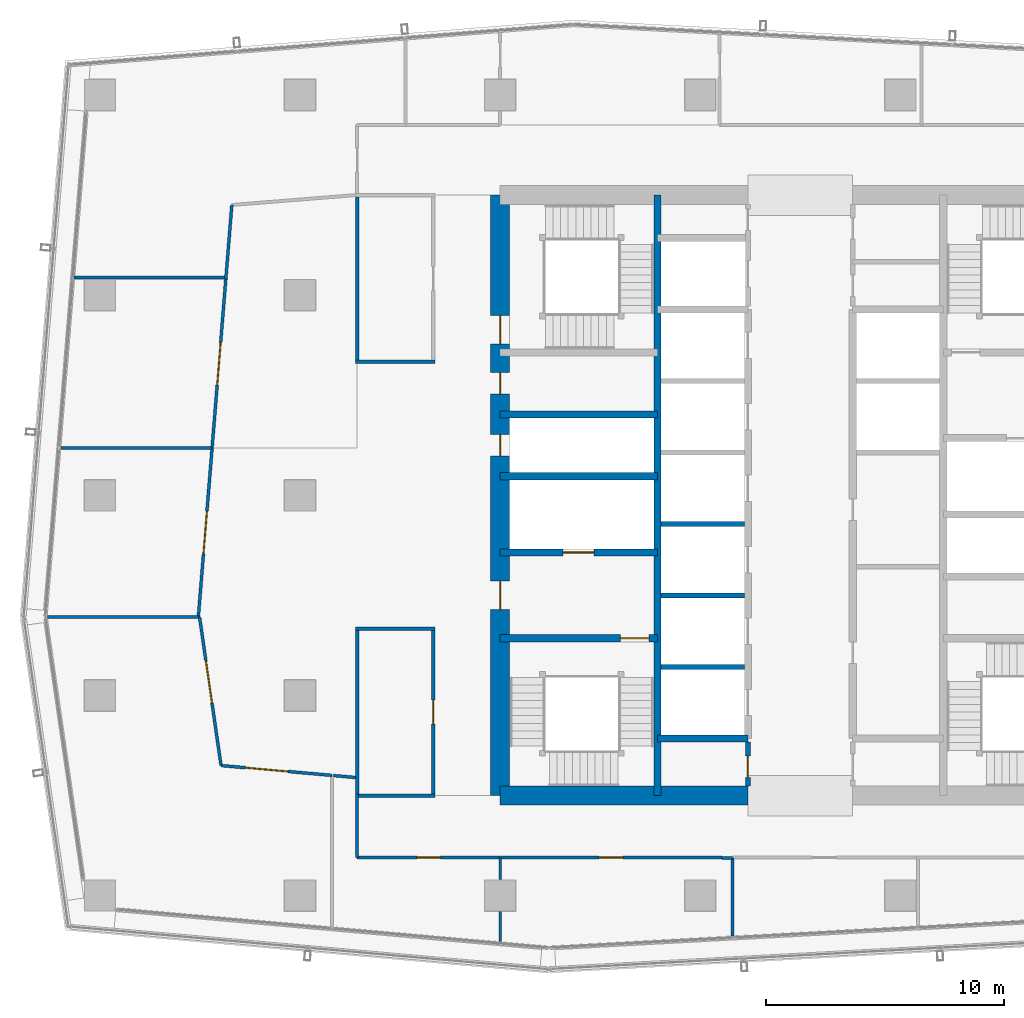
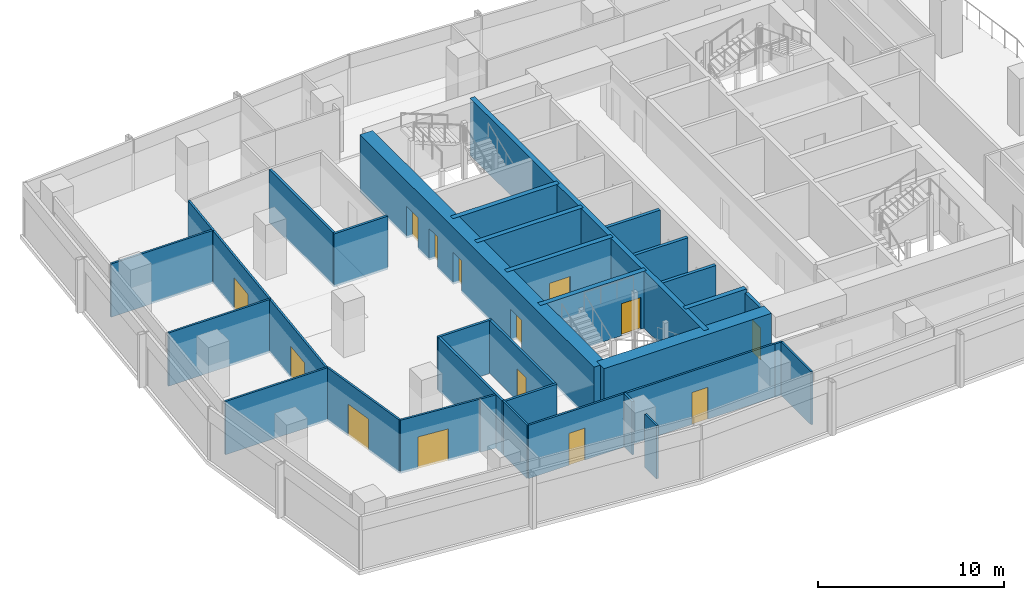
# One storey, part 19 of 26: 34 walls, 14 doors, 14 openings.
"""IFC4 building model written with IfcOpenShell, lengths in metres."""

from ifc_helpers import new_model, si_unit, direction, frame, frame_2d, origin, place, context, subcontext, project, spatial, rectangle, extrude, material, layer, layer_set, type_object, element, fill, save


model = new_model("IFC4")

# Units and contexts
model_context = context("Model", 3, precision=1e-05, world=origin(), true_north=direction((0.0, 1.0)))
body_context = subcontext(model_context, "Body", "Model", "MODEL_VIEW")
ifc_project = project(units=[si_unit("LENGTHUNIT", "METRE"), si_unit("AREAUNIT", "SQUARE_METRE"), si_unit("VOLUMEUNIT", "CUBIC_METRE"), si_unit("PLANEANGLEUNIT", "RADIAN"), si_unit("MASSUNIT", "GRAM", prefix="KILO")], contexts=[model_context])

# Site, building, storey
site_placement = place(None, origin())
site = spatial("IfcSite", under=ifc_project, at=site_placement, CompositionType="ELEMENT")
building_placement = place(site_placement, origin())
building = spatial("IfcBuilding", under=site, at=building_placement, Name="Rekha Terrace Tower", CompositionType="ELEMENT")
storey_placement = place(building_placement, frame((0.0, 0.0, 283.85009765625)))
storey = spatial("IfcBuildingStorey", under=building, at=storey_placement, Name="L72", CompositionType="ELEMENT", Elevation=283.85009765625)

# Walls
ifc_material_1 = material(Name="Concrete M60", Category="concrete")
ifc_layer_1 = layer(ifc_material_1, 0.300048828125)
ifc_layer_set_1 = layer_set([ifc_layer_1], Name="Concrete M60")
wall_type_1 = type_object("IfcWallType", Name="CI5 300 core internal shear wall", PredefinedType="SHEAR", material=ifc_layer_set_1)
wall_1_placement = place(storey_placement, frame((31.800048828125, 21.0, 0.0), z_axis=(0.0, 0.0, 1.0), x_axis=(0.0, 1.0, 0.0)))
element("IfcWall", 1, at=wall_1_placement, inside=storey, type_object=wall_type_1, Name="Core wall X318 L72", PredefinedType="SHEAR", context=body_context, shape_type="SweptSolid", body=[
    extrude(rectangle(XDim=25.199951171875, YDim=0.300048828125, at=frame_2d((12.60009765625, 0.0))), origin(), (0.0, 0.0, 1.0), 3.75),
])
wall_2_placement = place(storey_placement, frame((31.800048828125, 23.39990234375, 0.0), z_axis=(0.0, 0.0, 1.0), x_axis=(1.0, 0.0, 0.0)))
element("IfcWall", 2, at=wall_2_placement, inside=storey, type_object=wall_type_1, Name="Core wall Y234W L72", PredefinedType="SHEAR", context=body_context, shape_type="SweptSolid", body=[
    extrude(rectangle(XDim=3.800048828125, YDim=0.300048828125, at=frame_2d((1.89990234375, 0.0))), origin(), (0.0, 0.0, 1.0), 3.75),
])

# Wall, opening, door
wall_3_placement = place(storey_placement, frame((25.199951171875, 27.60009765625, 0.0), z_axis=(0.0, 0.0, 1.0), x_axis=(1.0, 0.0, 0.0)))
wall_3 = element("IfcWall", 3, at=wall_3_placement, inside=storey, type_object=wall_type_1, Name="Core wall Y276W L72", PredefinedType="SHEAR", context=body_context, shape_type="SweptSolid", body=[
    extrude(rectangle(XDim=6.60009765625, YDim=0.300048828125, at=frame_2d((3.300048828125, 0.0))), origin(), (0.0, 0.0, 1.0), 3.75),
])
opening_1_placement = place(wall_3_placement, frame((5.050048828125, 0.0, 0.0)))
opening_1 = element("IfcOpeningElement", 4, at=opening_1_placement, cuts=wall_3, Name="Opening D1", PredefinedType="OPENING", context=body_context, shape_type="SweptSolid", body=[
    extrude(rectangle(XDim=1.199951171875, YDim=2.10009765625, at=frame_2d((0.60009765625, 1.050048828125))), frame((0.0, 0.159912109375, 0.0), z_axis=(0.0, -1.0, 0.0), x_axis=(1.0, 0.0, 0.0)), (0.0, 0.0, 1.0), 0.320068359375),
])
ifc_material_2 = material(Name="Steel fire door", Category="steel")
door_type_1 = type_object("IfcDoorType", Name="D1 1200x2100 stair fire door", OperationType="SINGLE_SWING_RIGHT", PredefinedType="DOOR", material=ifc_material_2)
door_1_placement = place(opening_1_placement, origin())
door_1 = element("IfcDoor", 5, at=door_1_placement, inside=storey, type_object=door_type_1, Name="Stair ST1 door L72", OperationType="SINGLE_SWING_RIGHT", OverallHeight=2.10009765625, OverallWidth=1.199951171875, PredefinedType="DOOR", context=body_context, shape_type="SweptSolid", body=[
    extrude(rectangle(XDim=1.199951171875, YDim=2.10009765625, at=frame_2d((0.60009765625, 1.050048828125))), frame((0.0, 0.02490234375, 0.0), z_axis=(0.0, -1.0, 0.0), x_axis=(1.0, 0.0, 0.0)), (0.0, 0.0, 1.0), 0.050048828125),
])
fill(opening_1, door_1)

wall_4_placement = place(storey_placement, frame((25.199951171875, 31.199951171875, 0.0), z_axis=(0.0, 0.0, 1.0), x_axis=(1.0, 0.0, 0.0)))
wall_4 = element("IfcWall", 6, at=wall_4_placement, inside=storey, type_object=wall_type_1, Name="Core wall Y312W L72", PredefinedType="SHEAR", context=body_context, shape_type="SweptSolid", body=[
    extrude(rectangle(XDim=6.60009765625, YDim=0.300048828125, at=frame_2d((3.300048828125, 0.0))), origin(), (0.0, 0.0, 1.0), 3.75),
])
opening_2_placement = place(wall_4_placement, frame((2.64990234375, 0.0, 0.0)))
opening_2 = element("IfcOpeningElement", 7, at=opening_2_placement, cuts=wall_4, Name="Opening LD2", PredefinedType="OPENING", context=body_context, shape_type="SweptSolid", body=[
    extrude(rectangle(XDim=1.300048828125, YDim=2.10009765625, at=frame_2d((0.64990234375, 1.050048828125))), frame((0.0, 0.159912109375, 0.0), z_axis=(0.0, -1.0, 0.0), x_axis=(1.0, 0.0, 0.0)), (0.0, 0.0, 1.0), 0.320068359375),
])
ifc_material_3 = material(Name="Stainless steel sliding landing door", Category="steel")
door_type_2 = type_object("IfcDoorType", Name="LD2 1300x2100 fire lift landing door", OperationType="SLIDING_TO_LEFT", PredefinedType="USERDEFINED", material=ifc_material_3)
door_2_placement = place(opening_2_placement, origin())
door_2 = element("IfcDoor", 8, at=door_2_placement, inside=storey, type_object=door_type_2, Name="Lift FL1 landing door L72", ObjectType="LIFT LANDING DOOR", OperationType="SLIDING_TO_LEFT", OverallHeight=2.10009765625, OverallWidth=1.300048828125, PredefinedType="USERDEFINED", context=body_context, shape_type="SweptSolid", body=[
    extrude(rectangle(XDim=1.300048828125, YDim=2.10009765625, at=frame_2d((0.64990234375, 1.050048828125))), frame((0.0, 0.02490234375, 0.0), z_axis=(0.0, -1.0, 0.0), x_axis=(1.0, 0.0, 0.0)), (0.0, 0.0, 1.0), 0.050048828125),
])
fill(opening_2, door_2)

# Walls
for number, where, z_axis, x_axis, name in (
    (9, (25.199951171875, 34.39990234375, 0.0), (0.0, 0.0, 1.0), (1.0, 0.0, 0.0), "Core wall Y344W L72"),
    (10, (25.199951171875, 37.0, 0.0), (0.0, 0.0, 1.0), (1.0, 0.0, 0.0), "Core wall Y370W L72"),
):
    element("IfcWall", number, at=place(storey_placement, frame(where, z_axis=z_axis, x_axis=x_axis)), inside=storey, type_object=wall_type_1, Name=name, PredefinedType="SHEAR", context=body_context, shape_type="SweptSolid", body=[
        extrude(rectangle(XDim=6.60009765625, YDim=0.300048828125, at=frame_2d((3.300048828125, 0.0))), origin(), (0.0, 0.0, 1.0), 3.75),
    ])
ifc_layer_2 = layer(ifc_material_1, 0.800048828125)
ifc_layer_set_2 = layer_set([ifc_layer_2], Name="Concrete M60")
wall_type_2 = type_object("IfcWallType", Name="SW5 800 core outer shear wall", PredefinedType="SHEAR", material=ifc_layer_set_2)
wall_5_placement = place(storey_placement, frame((25.199951171875, 21.0, 0.0), z_axis=(0.0, 0.0, 1.0), x_axis=(1.0, 0.0, 0.0)))
element("IfcWall", 11, at=wall_5_placement, inside=storey, type_object=wall_type_2, Name="Core wall S1 L72", PredefinedType="SHEAR", context=body_context, shape_type="SweptSolid", body=[
    extrude(rectangle(XDim=10.400146484375, YDim=0.800048828125, at=frame_2d((5.2001953125, 0.0))), origin(), (0.0, 0.0, 1.0), 3.75),
])

# Wall, openings, doors
wall_6_placement = place(storey_placement, frame((25.199951171875, 21.0, 0.0), z_axis=(0.0, 0.0, 1.0), x_axis=(0.0, 1.0, 0.0)))
wall_6 = element("IfcWall", 12, at=wall_6_placement, inside=storey, type_object=wall_type_2, Name="Core wall W L72", PredefinedType="SHEAR", context=body_context, shape_type="SweptSolid", body=[
    extrude(rectangle(XDim=25.199951171875, YDim=0.800048828125, at=frame_2d((12.60009765625, 0.0))), origin(), (0.0, 0.0, 1.0), 3.75),
])
opening_3_placement = place(wall_6_placement, frame((7.800048828125, 0.0, 0.0)))
opening_3 = element("IfcOpeningElement", 13, at=opening_3_placement, cuts=wall_6, Name="Opening D2", PredefinedType="OPENING", context=body_context, shape_type="SweptSolid", body=[
    extrude(rectangle(XDim=1.199951171875, YDim=2.10009765625, at=frame_2d((0.60009765625, 1.050048828125))), frame((0.0, 0.409912109375, 0.0), z_axis=(0.0, -1.0, 0.0), x_axis=(1.0, 0.0, 0.0)), (0.0, 0.0, 1.0), 0.820068359375),
])
opening_4_placement = place(wall_6_placement, frame((14.25, 0.0, 0.0)))
opening_4 = element("IfcOpeningElement", 14, at=opening_4_placement, cuts=wall_6, Name="Opening D5", PredefinedType="OPENING", context=body_context, shape_type="SweptSolid", body=[
    extrude(rectangle(XDim=0.89990234375, YDim=2.10009765625, at=frame_2d((0.449951171875, 1.050048828125))), frame((0.0, 0.409912109375, 0.0), z_axis=(0.0, -1.0, 0.0), x_axis=(1.0, 0.0, 0.0)), (0.0, 0.0, 1.0), 0.820068359375),
])
opening_5_placement = place(wall_6_placement, frame((16.85009765625, 0.0, 0.0)))
opening_5 = element("IfcOpeningElement", 15, at=opening_5_placement, cuts=wall_6, Name="Opening D5", PredefinedType="OPENING", context=body_context, shape_type="SweptSolid", body=[
    extrude(rectangle(XDim=0.89990234375, YDim=2.10009765625, at=frame_2d((0.449951171875, 1.050048828125))), frame((0.0, 0.409912109375, 0.0), z_axis=(0.0, -1.0, 0.0), x_axis=(1.0, 0.0, 0.0)), (0.0, 0.0, 1.0), 0.820068359375),
])
opening_6_placement = place(wall_6_placement, frame((18.949951171875, 0.0, 0.0)))
opening_6 = element("IfcOpeningElement", 16, at=opening_6_placement, cuts=wall_6, Name="Opening D1", PredefinedType="OPENING", context=body_context, shape_type="SweptSolid", body=[
    extrude(rectangle(XDim=1.199951171875, YDim=2.10009765625, at=frame_2d((0.60009765625, 1.050048828125))), frame((0.0, 0.409912109375, 0.0), z_axis=(0.0, -1.0, 0.0), x_axis=(1.0, 0.0, 0.0)), (0.0, 0.0, 1.0), 0.820068359375),
])
door_3_placement = place(opening_6_placement, origin())
door_3 = element("IfcDoor", 17, at=door_3_placement, inside=storey, type_object=door_type_1, Name="Stair ST4 door L72", OperationType="SINGLE_SWING_RIGHT", OverallHeight=2.10009765625, OverallWidth=1.199951171875, PredefinedType="DOOR", context=body_context, shape_type="SweptSolid", body=[
    extrude(rectangle(XDim=1.199951171875, YDim=2.10009765625, at=frame_2d((0.60009765625, 1.050048828125))), frame((0.0, 0.02490234375, 0.0), z_axis=(0.0, -1.0, 0.0), x_axis=(1.0, 0.0, 0.0)), (0.0, 0.0, 1.0), 0.050048828125),
])
fill(opening_6, door_3)
door_type_3 = type_object("IfcDoorType", Name="D2 1200x2100 firefighting lobby door", OperationType="SINGLE_SWING_LEFT", PredefinedType="DOOR", material=ifc_material_2)
door_4_placement = place(opening_3_placement, origin())
door_4 = element("IfcDoor", 18, at=door_4_placement, inside=storey, type_object=door_type_3, Name="Door flb1 L72", OperationType="SINGLE_SWING_LEFT", OverallHeight=2.10009765625, OverallWidth=1.199951171875, PredefinedType="DOOR", context=body_context, shape_type="SweptSolid", body=[
    extrude(rectangle(XDim=1.199951171875, YDim=2.10009765625, at=frame_2d((0.60009765625, 1.050048828125))), frame((0.0, 0.02490234375, 0.0), z_axis=(0.0, -1.0, 0.0), x_axis=(1.0, 0.0, 0.0)), (0.0, 0.0, 1.0), 0.050048828125),
])
fill(opening_3, door_4)
door_type_4 = type_object("IfcDoorType", Name="D5 900x2100 riser access door", OperationType="SINGLE_SWING_LEFT", PredefinedType="DOOR", material=ifc_material_2)
door_5_placement = place(opening_4_placement, origin())
door_5 = element("IfcDoor", 19, at=door_5_placement, inside=storey, type_object=door_type_4, Name="Door rs1 L72", OperationType="SINGLE_SWING_LEFT", OverallHeight=2.10009765625, OverallWidth=0.89990234375, PredefinedType="DOOR", context=body_context, shape_type="SweptSolid", body=[
    extrude(rectangle(XDim=0.89990234375, YDim=2.10009765625, at=frame_2d((0.449951171875, 1.050048828125))), frame((0.0, 0.02490234375, 0.0), z_axis=(0.0, -1.0, 0.0), x_axis=(1.0, 0.0, 0.0)), (0.0, 0.0, 1.0), 0.050048828125),
])
fill(opening_4, door_5)
door_6_placement = place(opening_5_placement, origin())
door_6 = element("IfcDoor", 20, at=door_6_placement, inside=storey, type_object=door_type_4, Name="Door elw L72", OperationType="SINGLE_SWING_LEFT", OverallHeight=2.10009765625, OverallWidth=0.89990234375, PredefinedType="DOOR", context=body_context, shape_type="SweptSolid", body=[
    extrude(rectangle(XDim=0.89990234375, YDim=2.10009765625, at=frame_2d((0.449951171875, 1.050048828125))), frame((0.0, 0.02490234375, 0.0), z_axis=(0.0, -1.0, 0.0), x_axis=(1.0, 0.0, 0.0)), (0.0, 0.0, 1.0), 0.050048828125),
])
fill(opening_5, door_6)

# Walls
ifc_material_4 = material(Name="Concrete block masonry, 1 hour", Category="masonry")
ifc_layer_3 = layer(ifc_material_4, 0.14990234375)
ifc_layer_set_3 = layer_set([ifc_layer_3], Name="Concrete block masonry, 1 hour")
wall_type_3 = type_object("IfcWallType", Name="WP2 150 tenancy partition", PredefinedType="PARTITIONING", material=ifc_layer_set_3)
wall_7_placement = place(storey_placement, frame((19.125, 39.199951171875, 0.0), z_axis=(0.0, 0.0, 1.0), x_axis=(1.0, 0.0, 0.0)))
element("IfcWall", 21, at=wall_7_placement, inside=storey, type_object=wall_type_3, Name="Women's WC wall L72", PredefinedType="PARTITIONING", context=body_context, shape_type="SweptSolid", body=[
    extrude(rectangle(XDim=3.35009765625, YDim=0.14990234375, at=frame_2d((1.675048828125, 0.0))), origin(), (0.0, 0.0, 1.0), 3.5),
])
wall_8_placement = place(storey_placement, frame((19.199951171875, 39.27490234375, 0.0), z_axis=(0.0, 0.0, 1.0), x_axis=(0.0, 1.0, 0.0)))
element("IfcWall", 22, at=wall_8_placement, inside=storey, type_object=wall_type_3, Name="Women's WC wall L72", PredefinedType="PARTITIONING", context=body_context, shape_type="SweptSolid", body=[
    extrude(rectangle(XDim=6.85009765625, YDim=0.14990234375, at=frame_2d((3.425048828125, 0.0))), origin(), (0.0, 0.0, 1.0), 3.5),
])
for number, where, z_axis, x_axis, name in (
    (23, (19.125, 21.0, 0.0), (0.0, 0.0, 1.0), (1.0, 0.0, 0.0), "Men's WC wall L72"),
    (24, (19.125, 28.0, 0.0), (0.0, 0.0, 1.0), (1.0, 0.0, 0.0), "Men's WC wall L72"),
):
    element("IfcWall", number, at=place(storey_placement, frame(where, z_axis=z_axis, x_axis=x_axis)), inside=storey, type_object=wall_type_3, Name=name, PredefinedType="PARTITIONING", context=body_context, shape_type="SweptSolid", body=[
        extrude(rectangle(XDim=3.35009765625, YDim=0.14990234375, at=frame_2d((1.675048828125, 0.0))), origin(), (0.0, 0.0, 1.0), 3.5),
    ])
wall_9_placement = place(storey_placement, frame((19.199951171875, 21.074951171875, 0.0), z_axis=(0.0, 0.0, 1.0), x_axis=(0.0, 1.0, 0.0)))
element("IfcWall", 25, at=wall_9_placement, inside=storey, type_object=wall_type_3, Name="Men's WC wall L72", PredefinedType="PARTITIONING", context=body_context, shape_type="SweptSolid", body=[
    extrude(rectangle(XDim=6.85009765625, YDim=0.14990234375, at=frame_2d((3.425048828125, 0.0))), origin(), (0.0, 0.0, 1.0), 3.5),
])

# Wall, opening, door
wall_10_placement = place(storey_placement, frame((22.39990234375, 21.074951171875, 0.0), z_axis=(0.0, 0.0, 1.0), x_axis=(0.0, 1.0, 0.0)))
wall_10 = element("IfcWall", 26, at=wall_10_placement, inside=storey, type_object=wall_type_3, Name="Men's WC wall L72", PredefinedType="PARTITIONING", context=body_context, shape_type="SweptSolid", body=[
    extrude(rectangle(XDim=6.85009765625, YDim=0.14990234375, at=frame_2d((3.425048828125, 0.0))), origin(), (0.0, 0.0, 1.0), 3.5),
])
opening_7_placement = place(wall_10_placement, frame((2.925048828125, 0.0, 0.0)))
opening_7 = element("IfcOpeningElement", 27, at=opening_7_placement, cuts=wall_10, Name="Opening D3", PredefinedType="OPENING", context=body_context, shape_type="SweptSolid", body=[
    extrude(rectangle(XDim=1.0, YDim=2.10009765625, at=frame_2d((0.5, 1.050048828125))), frame((0.0, 0.0849609375, 0.0), z_axis=(0.0, -1.0, 0.0), x_axis=(1.0, 0.0, 0.0)), (0.0, 0.0, 1.0), 0.169921875),
])
ifc_material_5 = material(Name="Laminated timber fire door", Category="wood")
door_type_5 = type_object("IfcDoorType", Name="D3 1000x2100 WC door", OperationType="SINGLE_SWING_LEFT", PredefinedType="DOOR", material=ifc_material_5)
door_7_placement = place(opening_7_placement, origin())
door_7 = element("IfcDoor", 28, at=door_7_placement, inside=storey, type_object=door_type_5, Name="Door men's wc L72", OperationType="SINGLE_SWING_LEFT", OverallHeight=2.10009765625, OverallWidth=1.0, PredefinedType="DOOR", context=body_context, shape_type="SweptSolid", body=[
    extrude(rectangle(XDim=1.0, YDim=2.10009765625, at=frame_2d((0.5, 1.050048828125))), frame((0.0, 0.02490234375, 0.0), z_axis=(0.0, -1.0, 0.0), x_axis=(1.0, 0.0, 0.0)), (0.0, 0.0, 1.0), 0.050048828125),
])
fill(opening_7, door_7)

# Walls
ifc_material_6 = material(Name="Two layers of fire-rated gypsum board each side on steel studs, acoustic quilt, 1 hour", Category="steel")
ifc_layer_4 = layer(ifc_material_6, 0.125)
ifc_layer_set_4 = layer_set([ifc_layer_4], Name="Two layers of fire-rated gypsum board each side on steel studs, acoustic quilt, 1 hour")
wall_type_4 = type_object("IfcWallType", Name="WP3 125 office partition", PredefinedType="PARTITIONING", material=ifc_layer_set_4)
wall_11_placement = place(storey_placement, frame((13.94091796875, 45.785888671875, 0.0), z_axis=(0.0, 0.0, 1.0), x_axis=(-0.080882691395, -0.996723627809, 0.0)))
element("IfcWall", 29, at=wall_11_placement, inside=storey, type_object=wall_type_4, Name="Partition L72-06", PredefinedType="PARTITIONING", context=body_context, shape_type="SweptSolid", body=[
    extrude(rectangle(XDim=3.13916015625, YDim=0.125, at=frame_2d((1.569580078125, 0.0))), origin(), (0.0, 0.0, 1.0), 3.5),
])
wall_12_placement = place(storey_placement, frame((13.631103515625, 42.741943359375, 0.0), z_axis=(0.0, 0.0, 1.0), x_axis=(-1.0, 0.0, 0.0)))
element("IfcWall", 30, at=wall_12_placement, inside=storey, type_object=wall_type_4, Name="Partition L72-06", PredefinedType="PARTITIONING", context=body_context, shape_type="SweptSolid", body=[
    extrude(rectangle(XDim=6.30810546875, YDim=0.125, at=frame_2d((3.154052734375, 0.0))), origin(), (0.0, 0.0, 1.0), 3.5),
])

# Wall, opening, door
wall_13_placement = place(storey_placement, frame((13.68701171875, 42.656005859375, 0.0), z_axis=(0.0, 0.0, 1.0), x_axis=(-0.08110159124, -0.996705840205, 0.0)))
wall_13 = element("IfcWall", 31, at=wall_13_placement, inside=storey, type_object=wall_type_4, Name="Partition L72-07", PredefinedType="PARTITIONING", context=body_context, shape_type="SweptSolid", body=[
    extrude(rectangle(XDim=7.08935546875, YDim=0.125, at=frame_2d((3.544677734375, 0.0))), origin(), (0.0, 0.0, 1.0), 3.5),
])
opening_8_placement = place(wall_13_placement, frame((2.64501953125, 0.0, 0.0)))
opening_8 = element("IfcOpeningElement", 32, at=opening_8_placement, cuts=wall_13, Name="Opening D8", PredefinedType="OPENING", context=body_context, shape_type="SweptSolid", body=[
    extrude(rectangle(XDim=1.800048828125, YDim=2.10009765625, at=frame_2d((0.89990234375, 1.050048828125))), frame((0.0, 0.072509765625, 0.0), z_axis=(0.0, -1.0, 0.0), x_axis=(1.0, 0.0, 0.0)), (0.0, 0.0, 1.0), 0.14501953125),
])
ifc_material_7 = material(Name="Timber fire door", Category="wood")
door_type_6 = type_object("IfcDoorType", Name="D8 1800x2100 double leaf door", OperationType="DOUBLE_DOOR_SINGLE_SWING", PredefinedType="DOOR", material=ifc_material_7)
door_8_placement = place(opening_8_placement, origin())
door_8 = element("IfcDoor", 33, at=door_8_placement, inside=storey, type_object=door_type_6, Name="Door meeting room L72", OperationType="DOUBLE_DOOR_SINGLE_SWING", OverallHeight=2.10009765625, OverallWidth=1.800048828125, PredefinedType="DOOR", context=body_context, shape_type="SweptSolid", body=[
    extrude(rectangle(XDim=1.800048828125, YDim=2.10009765625, at=frame_2d((0.89990234375, 1.050048828125))), frame((0.0, 0.02490234375, 0.0), z_axis=(0.0, -1.0, 0.0), x_axis=(1.0, 0.0, 0.0)), (0.0, 0.0, 1.0), 0.050048828125),
])
fill(opening_8, door_8)

# Wall
wall_14_placement = place(storey_placement, frame((13.112060546875, 35.590087890625, 0.0), z_axis=(0.0, 0.0, 1.0), x_axis=(-1.0, 0.0, 0.0)))
element("IfcWall", 34, at=wall_14_placement, inside=storey, type_object=wall_type_4, Name="Partition L72-07", PredefinedType="PARTITIONING", context=body_context, shape_type="SweptSolid", body=[
    extrude(rectangle(XDim=6.341064453125, YDim=0.125, at=frame_2d((3.17041015625, 0.0))), origin(), (0.0, 0.0, 1.0), 3.5),
])

# Wall, opening, door
wall_15_placement = place(storey_placement, frame((13.112060546875, 35.589111328125, 0.0), z_axis=(0.0, 0.0, 1.0), x_axis=(-0.081053384124, -0.996709761627, 0.0)))
wall_15 = element("IfcWall", 35, at=wall_15_placement, inside=storey, type_object=wall_type_4, Name="Partition L72-08", PredefinedType="PARTITIONING", context=body_context, shape_type="SweptSolid", body=[
    extrude(rectangle(XDim=7.12060546875, YDim=0.125, at=frame_2d((3.560302734375, 0.0))), origin(), (0.0, 0.0, 1.0), 3.5),
])
opening_9_placement = place(wall_15_placement, frame((2.659912109375, 0.0, 0.0)))
opening_9 = element("IfcOpeningElement", 36, at=opening_9_placement, cuts=wall_15, Name="Opening D8", PredefinedType="OPENING", context=body_context, shape_type="SweptSolid", body=[
    extrude(rectangle(XDim=1.800048828125, YDim=2.10009765625, at=frame_2d((0.89990234375, 1.050048828125))), frame((0.0, 0.072509765625, 0.0), z_axis=(0.0, -1.0, 0.0), x_axis=(1.0, 0.0, 0.0)), (0.0, 0.0, 1.0), 0.14501953125),
])
door_9_placement = place(opening_9_placement, origin())
door_9 = element("IfcDoor", 37, at=door_9_placement, inside=storey, type_object=door_type_6, Name="Door quiet room L72", OperationType="DOUBLE_DOOR_SINGLE_SWING", OverallHeight=2.10009765625, OverallWidth=1.800048828125, PredefinedType="DOOR", context=body_context, shape_type="SweptSolid", body=[
    extrude(rectangle(XDim=1.800048828125, YDim=2.10009765625, at=frame_2d((0.89990234375, 1.050048828125))), frame((0.0, 0.02490234375, 0.0), z_axis=(0.0, -1.0, 0.0), x_axis=(1.0, 0.0, 0.0)), (0.0, 0.0, 1.0), 0.050048828125),
])
fill(opening_9, door_9)

# Wall
wall_16_placement = place(storey_placement, frame((12.534912109375, 28.491943359375, 0.0), z_axis=(0.0, 0.0, 1.0), x_axis=(-1.0, 0.0, 0.0)))
element("IfcWall", 38, at=wall_16_placement, inside=storey, type_object=wall_type_4, Name="Partition L72-08", PredefinedType="PARTITIONING", context=body_context, shape_type="SweptSolid", body=[
    extrude(rectangle(XDim=6.333984375, YDim=0.125, at=frame_2d((3.1669921875, 0.0))), origin(), (0.0, 0.0, 1.0), 3.5),
])

# Wall, opening, door
wall_17_placement = place(storey_placement, frame((12.5869140625, 28.488037109375, 0.0), z_axis=(0.0, 0.0, 1.0), x_axis=(0.143175234502, -0.989697353854, 0.0)))
wall_17 = element("IfcWall", 39, at=wall_17_placement, inside=storey, type_object=wall_type_4, Name="Partition L72-09", PredefinedType="PARTITIONING", context=body_context, shape_type="SweptSolid", body=[
    extrude(rectangle(XDim=6.2939453125, YDim=0.125, at=frame_2d((3.14697265625, 0.0))), origin(), (0.0, 0.0, 1.0), 3.5),
])
opening_10_placement = place(wall_17_placement, frame((1.841064453125, 0.0, 0.0)))
opening_10 = element("IfcOpeningElement", 40, at=opening_10_placement, cuts=wall_17, Name="Opening D8", PredefinedType="OPENING", context=body_context, shape_type="SweptSolid", body=[
    extrude(rectangle(XDim=1.800048828125, YDim=2.10009765625, at=frame_2d((0.89990234375, 1.050048828125))), frame((0.0, 0.072509765625, 0.0), z_axis=(0.0, -1.0, 0.0), x_axis=(1.0, 0.0, 0.0)), (0.0, 0.0, 1.0), 0.14501953125),
])
door_10_placement = place(opening_10_placement, origin())
door_10 = element("IfcDoor", 41, at=door_10_placement, inside=storey, type_object=door_type_6, Name="Door board meeting room L72", OperationType="DOUBLE_DOOR_SINGLE_SWING", OverallHeight=2.10009765625, OverallWidth=1.800048828125, PredefinedType="DOOR", context=body_context, shape_type="SweptSolid", body=[
    extrude(rectangle(XDim=1.800048828125, YDim=2.10009765625, at=frame_2d((0.89990234375, 1.050048828125))), frame((0.0, 0.02490234375, 0.0), z_axis=(0.0, -1.0, 0.0), x_axis=(1.0, 0.0, 0.0)), (0.0, 0.0, 1.0), 0.050048828125),
])
fill(opening_10, door_10)

wall_18_placement = place(storey_placement, frame((13.488037109375, 22.259033203125, 0.0), z_axis=(0.0, 0.0, 1.0), x_axis=(0.996077138593, -0.088489174326, 0.0)))
wall_18 = element("IfcWall", 42, at=wall_18_placement, inside=storey, type_object=wall_type_4, Name="Partition L72-09", PredefinedType="PARTITIONING", context=body_context, shape_type="SweptSolid", body=[
    extrude(rectangle(XDim=4.67919921875, YDim=0.125, at=frame_2d((2.339599609375, 0.0))), origin(), (0.0, 0.0, 1.0), 3.5),
])
opening_11_placement = place(wall_18_placement, frame((1.034912109375, 0.0, 0.0)))
opening_11 = element("IfcOpeningElement", 43, at=opening_11_placement, cuts=wall_18, Name="Opening D8", PredefinedType="OPENING", context=body_context, shape_type="SweptSolid", body=[
    extrude(rectangle(XDim=1.800048828125, YDim=2.10009765625, at=frame_2d((0.89990234375, 1.050048828125))), frame((0.0, 0.072509765625, 0.0), z_axis=(0.0, -1.0, 0.0), x_axis=(1.0, 0.0, 0.0)), (0.0, 0.0, 1.0), 0.14501953125),
])
door_11_placement = place(opening_11_placement, origin())
door_11 = element("IfcDoor", 44, at=door_11_placement, inside=storey, type_object=door_type_6, Name="Door board meeting room L72", OperationType="DOUBLE_DOOR_SINGLE_SWING", OverallHeight=2.10009765625, OverallWidth=1.800048828125, PredefinedType="DOOR", context=body_context, shape_type="SweptSolid", body=[
    extrude(rectangle(XDim=1.800048828125, YDim=2.10009765625, at=frame_2d((0.89990234375, 1.050048828125))), frame((0.0, 0.02490234375, 0.0), z_axis=(0.0, -1.0, 0.0), x_axis=(1.0, 0.0, 0.0)), (0.0, 0.0, 1.0), 0.050048828125),
])
fill(opening_11, door_11)

# Walls
wall_19_placement = place(storey_placement, frame((25.2060546875, 18.39990234375, 0.0), z_axis=(0.0, 0.0, 1.0), x_axis=(0.0, -1.0, 0.0)))
element("IfcWall", 45, at=wall_19_placement, inside=storey, type_object=wall_type_4, Name="Partition L72-10", PredefinedType="PARTITIONING", context=body_context, shape_type="SweptSolid", body=[
    extrude(rectangle(XDim=0.929931640625, YDim=0.125, at=frame_2d((0.46484375, 0.0))), origin(), (0.0, 0.0, 1.0), 3.5),
])
wall_20_placement = place(storey_placement, frame((25.2060546875, 16.1298828125, 0.0), z_axis=(0.0, 0.0, 1.0), x_axis=(0.0, -1.0, 0.0)))
element("IfcWall", 46, at=wall_20_placement, inside=storey, type_object=wall_type_4, Name="Partition L72-10", PredefinedType="PARTITIONING", context=body_context, shape_type="SweptSolid", body=[
    extrude(rectangle(XDim=1.2578125, YDim=0.125, at=frame_2d((0.62890625, 0.0))), origin(), (0.0, 0.0, 1.0), 3.5),
])
wall_21_placement = place(storey_placement, frame((18.2119140625, 21.839111328125, 0.0), z_axis=(0.0, 0.0, 1.0), x_axis=(0.996083073059, -0.088422347662, 0.0)))
element("IfcWall", 47, at=wall_21_placement, inside=storey, type_object=wall_type_4, Name="Partition L72-10", PredefinedType="PARTITIONING", context=body_context, shape_type="SweptSolid", body=[
    extrude(rectangle(XDim=0.916748046875, YDim=0.125, at=frame_2d((0.45849609375, 0.0))), origin(), (0.0, 0.0, 1.0), 3.5),
])
wall_22_placement = place(storey_placement, frame((19.199951171875, 21.074951171875, 0.0), z_axis=(0.0, 0.0, 1.0), x_axis=(0.0, -1.0, 0.0)))
element("IfcWall", 48, at=wall_22_placement, inside=storey, type_object=wall_type_4, Name="Partition L72-10", PredefinedType="PARTITIONING", context=body_context, shape_type="SweptSolid", body=[
    extrude(rectangle(XDim=2.675048828125, YDim=0.125, at=frame_2d((1.33740234375, 0.0))), origin(), (0.0, 0.0, 1.0), 3.5),
])

# Wall, opening, door
wall_23_placement = place(storey_placement, frame((19.199951171875, 18.39990234375, 0.0), z_axis=(0.0, 0.0, 1.0), x_axis=(1.0, 0.0, 0.0)))
wall_23 = element("IfcWall", 49, at=wall_23_placement, inside=storey, type_object=wall_type_4, Name="Partition L72-10", PredefinedType="PARTITIONING", context=body_context, shape_type="SweptSolid", body=[
    extrude(rectangle(XDim=6.006103515625, YDim=0.125, at=frame_2d((3.0029296875, 0.0))), origin(), (0.0, 0.0, 1.0), 3.5),
])
opening_12_placement = place(wall_23_placement, frame((2.5029296875, 0.0, 0.0)))
opening_12 = element("IfcOpeningElement", 50, at=opening_12_placement, cuts=wall_23, Name="Opening D9", PredefinedType="OPENING", context=body_context, shape_type="SweptSolid", body=[
    extrude(rectangle(XDim=1.0, YDim=2.10009765625, at=frame_2d((0.5, 1.050048828125))), frame((0.0, 0.072509765625, 0.0), z_axis=(0.0, -1.0, 0.0), x_axis=(1.0, 0.0, 0.0)), (0.0, 0.0, 1.0), 0.14501953125),
])
door_type_7 = type_object("IfcDoorType", Name="D9 1000x2100 office door", OperationType="SINGLE_SWING_LEFT", PredefinedType="DOOR", material=ifc_material_7)
door_12_placement = place(opening_12_placement, origin())
door_12 = element("IfcDoor", 51, at=door_12_placement, inside=storey, type_object=door_type_7, Name="Door meeting room L72", OperationType="SINGLE_SWING_LEFT", OverallHeight=2.10009765625, OverallWidth=1.0, PredefinedType="DOOR", context=body_context, shape_type="SweptSolid", body=[
    extrude(rectangle(XDim=1.0, YDim=2.10009765625, at=frame_2d((0.5, 1.050048828125))), frame((0.0, 0.02490234375, 0.0), z_axis=(0.0, -1.0, 0.0), x_axis=(1.0, 0.0, 0.0)), (0.0, 0.0, 1.0), 0.050048828125),
])
fill(opening_12, door_12)

# Wall
wall_24_placement = place(storey_placement, frame((34.947998046875, 18.375, 0.0), z_axis=(0.0, 0.0, 1.0), x_axis=(0.0, -1.0, 0.0)))
element("IfcWall", 52, at=wall_24_placement, inside=storey, type_object=wall_type_4, Name="Partition L72-11", PredefinedType="PARTITIONING", context=body_context, shape_type="SweptSolid", body=[
    extrude(rectangle(XDim=3.260986328125, YDim=0.125, at=frame_2d((1.63037109375, 0.0))), origin(), (0.0, 0.0, 1.0), 3.5),
])

# Wall, opening, door
wall_25_placement = place(storey_placement, frame((25.20703125, 18.39990234375, 0.0), z_axis=(0.0, 0.0, 1.0), x_axis=(1.0, 0.0, 0.0)))
wall_25 = element("IfcWall", 53, at=wall_25_placement, inside=storey, type_object=wall_type_4, Name="Partition L72-11", PredefinedType="PARTITIONING", context=body_context, shape_type="SweptSolid", body=[
    extrude(rectangle(XDim=9.296875, YDim=0.125, at=frame_2d((4.6484375, 0.0))), origin(), (0.0, 0.0, 1.0), 3.5),
])
opening_13_placement = place(wall_25_placement, frame((4.14794921875, 0.0, 0.0)))
opening_13 = element("IfcOpeningElement", 54, at=opening_13_placement, cuts=wall_25, Name="Opening D9", PredefinedType="OPENING", context=body_context, shape_type="SweptSolid", body=[
    extrude(rectangle(XDim=1.0, YDim=2.10009765625, at=frame_2d((0.5, 1.050048828125))), frame((0.0, 0.072509765625, 0.0), z_axis=(0.0, -1.0, 0.0), x_axis=(1.0, 0.0, 0.0)), (0.0, 0.0, 1.0), 0.14501953125),
])
door_13_placement = place(opening_13_placement, origin())
door_13 = element("IfcDoor", 55, at=door_13_placement, inside=storey, type_object=door_type_7, Name="Door quiet room L72", OperationType="SINGLE_SWING_LEFT", OverallHeight=2.10009765625, OverallWidth=1.0, PredefinedType="DOOR", context=body_context, shape_type="SweptSolid", body=[
    extrude(rectangle(XDim=1.0, YDim=2.10009765625, at=frame_2d((0.5, 1.050048828125))), frame((0.0, 0.02490234375, 0.0), z_axis=(0.0, -1.0, 0.0), x_axis=(1.0, 0.0, 0.0)), (0.0, 0.0, 1.0), 0.050048828125),
])
fill(opening_13, door_13)

# Walls
wall_26_placement = place(storey_placement, frame((34.50390625, 18.375, 0.0), z_axis=(0.0, 0.0, 1.0), x_axis=(1.0, 0.0, 0.0)))
element("IfcWall", 56, at=wall_26_placement, inside=storey, type_object=wall_type_4, Name="Partition L72-11", PredefinedType="PARTITIONING", context=body_context, shape_type="SweptSolid", body=[
    extrude(rectangle(XDim=0.444091796875, YDim=0.125, at=frame_2d((0.22216796875, 0.0))), origin(), (0.0, 0.0, 1.0), 3.5),
])
ifc_material_8 = material(Name="Solid concrete block masonry, 2 hour", Category="masonry")
ifc_layer_5 = layer(ifc_material_8, 0.199951171875)
ifc_layer_set_5 = layer_set([ifc_layer_5], Name="Solid concrete block masonry, 2 hour")
wall_type_5 = type_object("IfcWallType", Name="WS1 200 stair and shaft enclosure", PredefinedType="PARTITIONING", material=ifc_layer_set_5)
for number, where, z_axis, x_axis, name in (
    (57, (31.949951171875, 26.39990234375, 0.0), (0.0, 0.0, 1.0), (1.0, 0.0, 0.0), "Lift shaft divider L72"),
    (58, (31.949951171875, 29.39990234375, 0.0), (0.0, 0.0, 1.0), (1.0, 0.0, 0.0), "Lift shaft divider L72"),
    (59, (31.949951171875, 32.39990234375, 0.0), (0.0, 0.0, 1.0), (1.0, 0.0, 0.0), "Lift shaft divider L72"),
):
    element("IfcWall", number, at=place(storey_placement, frame(where, z_axis=z_axis, x_axis=x_axis)), inside=storey, type_object=wall_type_5, Name=name, PredefinedType="PARTITIONING", context=body_context, shape_type="SweptSolid", body=[
        extrude(rectangle(XDim=3.5, YDim=0.199951171875, at=frame_2d((1.75, 0.0))), origin(), (0.0, 0.0, 1.0), 3.5),
    ])

# Wall, opening, door
wall_27_placement = place(storey_placement, frame((35.60009765625, 21.39990234375, 0.0), z_axis=(0.0, 0.0, 1.0), x_axis=(0.0, 1.0, 0.0)))
wall_27 = element("IfcWall", 60, at=wall_27_placement, inside=storey, type_object=wall_type_5, Name="Core partition west L72", PredefinedType="PARTITIONING", context=body_context, shape_type="SweptSolid", body=[
    extrude(rectangle(XDim=1.85009765625, YDim=0.199951171875, at=frame_2d((0.925048828125, 0.0))), origin(), (0.0, 0.0, 1.0), 3.5),
])
opening_14_placement = place(wall_27_placement, frame((0.35009765625, 0.0, 0.0)))
opening_14 = element("IfcOpeningElement", 61, at=opening_14_placement, cuts=wall_27, Name="Opening D5", PredefinedType="OPENING", context=body_context, shape_type="SweptSolid", body=[
    extrude(rectangle(XDim=0.89990234375, YDim=2.10009765625, at=frame_2d((0.449951171875, 1.050048828125))), frame((0.0, 0.10986328125, 0.0), z_axis=(0.0, -1.0, 0.0), x_axis=(1.0, 0.0, 0.0)), (0.0, 0.0, 1.0), 0.219970703125),
])
door_14_placement = place(opening_14_placement, origin())
door_14 = element("IfcDoor", 62, at=door_14_placement, inside=storey, type_object=door_type_4, Name="Door cleaner's store L72", OperationType="SINGLE_SWING_LEFT", OverallHeight=2.10009765625, OverallWidth=0.89990234375, PredefinedType="DOOR", context=body_context, shape_type="SweptSolid", body=[
    extrude(rectangle(XDim=0.89990234375, YDim=2.10009765625, at=frame_2d((0.449951171875, 1.050048828125))), frame((0.0, 0.02490234375, 0.0), z_axis=(0.0, -1.0, 0.0), x_axis=(1.0, 0.0, 0.0)), (0.0, 0.0, 1.0), 0.050048828125),
])
fill(opening_14, door_14)

save(model, "model.ifc")
